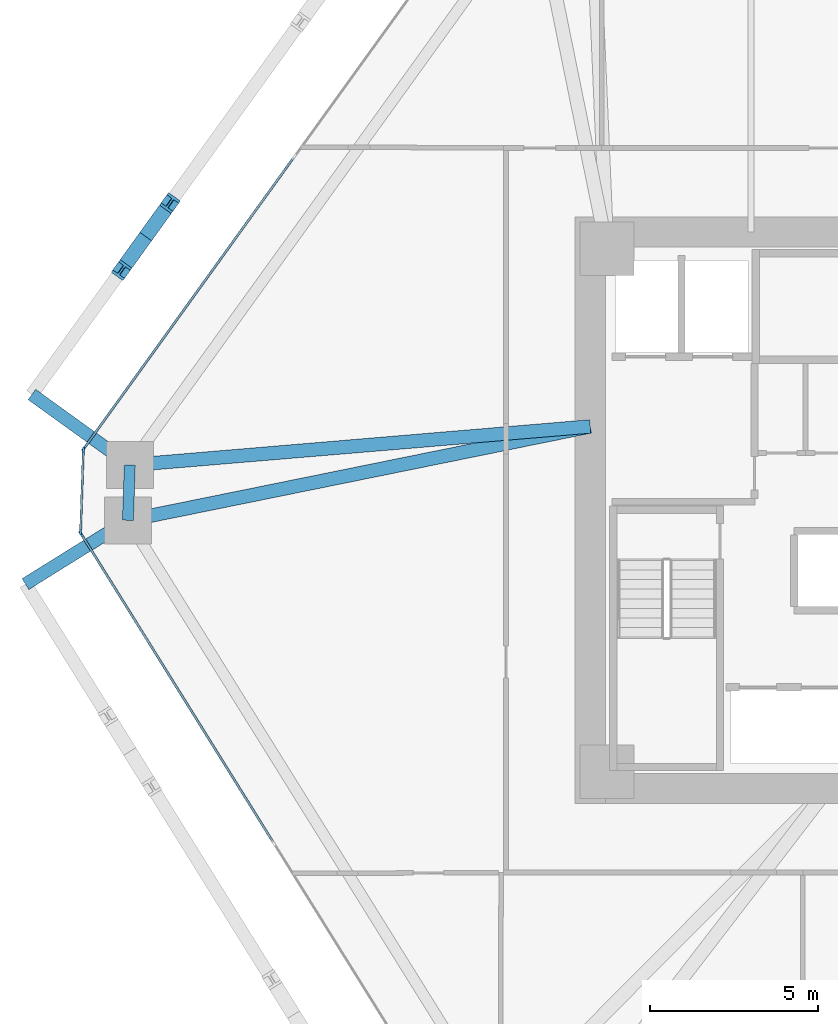
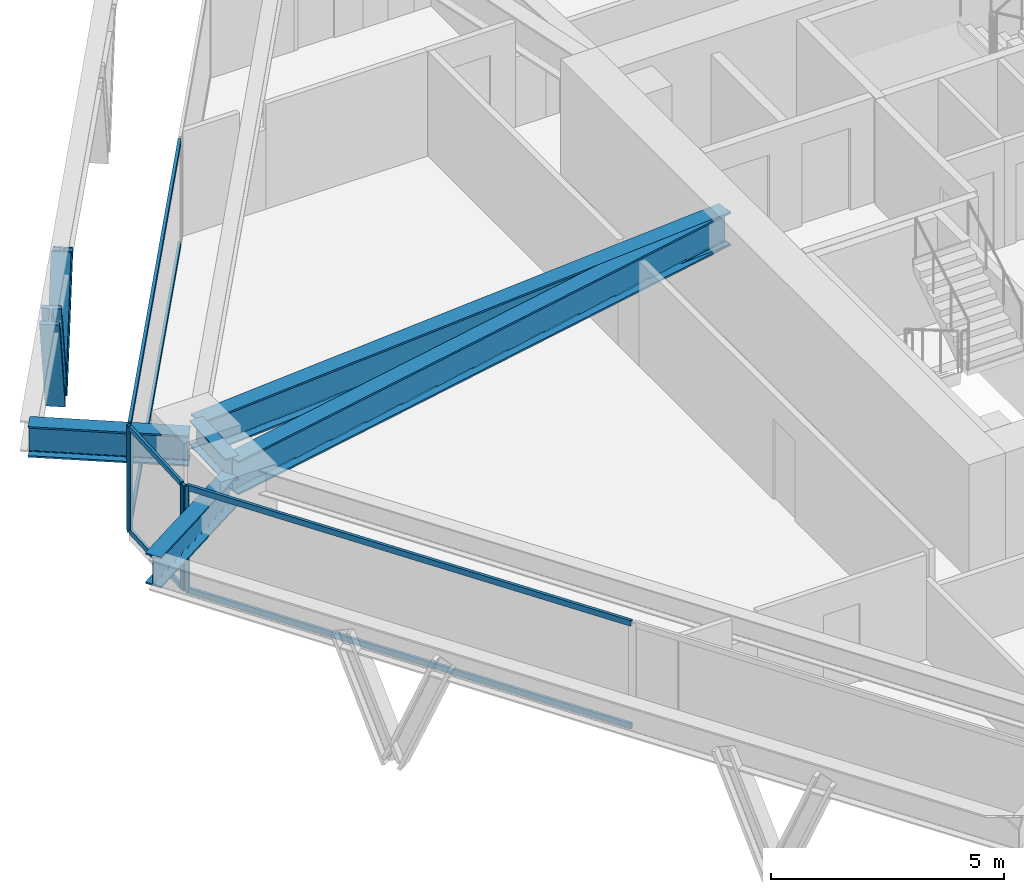
# One storey, part 4 of 15: 12 members, 5 beams, 3 elements without a shape of their own.
"""IFC4 building model written with IfcOpenShell, lengths in metres."""

from ifc_helpers import new_model, si_unit, direction, frame, origin, origin_2d, place, context, subcontext, project, spatial, rectangle, i_section, extrude, source, transform, mapped, material, layer, layer_set, material_profile, profile_set, type_object, type_shapes, element, aggregate, save


model = new_model("IFC4")

# Units and contexts
model_context = context("Model", 3, precision=1e-05, world=origin(), true_north=direction((0.0, 1.0)))
body_context = subcontext(model_context, "Body", "Model", "MODEL_VIEW")
ifc_project = project(units=[si_unit("LENGTHUNIT", "METRE"), si_unit("AREAUNIT", "SQUARE_METRE"), si_unit("VOLUMEUNIT", "CUBIC_METRE"), si_unit("PLANEANGLEUNIT", "RADIAN"), si_unit("MASSUNIT", "GRAM", prefix="KILO")], contexts=[model_context])

# Site, building, storey
site_placement = place(None, origin())
site = spatial("IfcSite", under=ifc_project, at=site_placement, CompositionType="ELEMENT")
building_placement = place(site_placement, origin())
building = spatial("IfcBuilding", under=site, at=building_placement, Name="Durnholm Broadcast Tower", CompositionType="ELEMENT")
storey_placement = place(building_placement, frame((0.0, 0.0, 81.300048828125)))
storey = spatial("IfcBuildingStorey", under=building, at=storey_placement, Name="L21", CompositionType="ELEMENT", Elevation=81.300048828125)

# Beams
ifc_material_1 = material(Name="Steel ASTM A992 Grade 50", Category="steel")
ifc_material_profile_1 = material_profile(ifc_material_1, i_section(OverallWidth=0.3291015625, OverallDepth=0.635009765625, WebThickness=0.017822265625, FlangeThickness=0.031005859375, FilletRadius=0.02783203125, at=origin_2d()), Name="W24X162")
ifc_profile_set_1 = profile_set([ifc_material_profile_1], Name="Steel ASTM A992 Grade 50")
beam_type_1 = type_object("IfcBeamType", Name="STL-SP-W24X162", PredefinedType="SPANDREL", material=ifc_profile_set_1)
shared_shape_1 = source(origin(), body_context, "Body", "SweptSolid", [
    extrude(i_section(OverallWidth=0.3291015625, OverallDepth=0.635009765625, WebThickness=0.017822265625, FlangeThickness=0.031005859375, FilletRadius=0.02783203125, at=origin_2d()), origin(), (0.0, 0.0, 1.0), 1.648193359375),
])
type_shapes(beam_type_1, [shared_shape_1])
beam_1_placement = place(storey_placement, frame((-24.0908203125, -0.2998046875, 2.427490234375), z_axis=(0.033921477804, 0.999424501072, 0.0), x_axis=(-0.999424501072, 0.033921477804, 0.0)))
element("IfcBeam", 1, at=beam_1_placement, inside=storey, type_object=beam_type_1, Name="L21 perimeter spandrel girder 02", PredefinedType="SPANDREL", context=body_context, shape_type="MappedRepresentation", body=[
    mapped(shared_shape_1, transform((0.0, 0.0, 0.0), x_axis=(1.0, 0.0, 0.0), y_axis=(0.0, 1.0, 0.0), z_axis=(0.0, 0.0, 1.0), scale=1.0)),
])
ifc_material_profile_2 = material_profile(ifc_material_1, i_section(OverallWidth=0.404052734375, OverallDepth=0.885009765625, WebThickness=0.0244140625, FlangeThickness=0.0439453125, FilletRadius=0.03564453125, at=origin_2d()), Name="W33X291")
ifc_profile_set_2 = profile_set([ifc_material_profile_2], Name="Steel ASTM A992 Grade 50")
beam_type_2 = type_object("IfcBeamType", Name="STL-GR-W33X291", PredefinedType="USERDEFINED", material=ifc_profile_set_2)
shared_shape_2 = source(origin(), body_context, "Body", "SweptSolid", [
    extrude(i_section(OverallWidth=0.404052734375, OverallDepth=0.885009765625, WebThickness=0.0244140625, FlangeThickness=0.0439453125, FilletRadius=0.03564453125, at=origin_2d()), origin(), (0.0, 0.0, 1.0), 14.072021484375),
])
beam_2_placement = place(storey_placement, frame((-10.300048828125, 2.5, 2.302490234375), z_axis=(-0.980007356767, -0.198961254225, 0.0), x_axis=(0.198961254225, -0.980007356767, 0.0)))
element("IfcBeam", 2, at=beam_2_placement, inside=storey, type_object=beam_type_2, Name="L21 radial primary floor girder 02", ObjectType="GIRDER", PredefinedType="USERDEFINED", context=body_context, shape_type="MappedRepresentation", body=[
    mapped(shared_shape_2, transform((0.0, 0.0, 0.0), x_axis=(1.0, 0.0, 0.0), y_axis=(0.0, 1.0, 0.0), z_axis=(0.0, 0.0, 1.0), scale=1.0)),
])
shared_shape_3 = source(origin(), body_context, "Body", "SweptSolid", [
    extrude(i_section(OverallWidth=0.404052734375, OverallDepth=0.885009765625, WebThickness=0.0244140625, FlangeThickness=0.0439453125, FilletRadius=0.03564453125, at=origin_2d()), origin(), (0.0, 0.0, 1.0), 13.783203125),
])
type_shapes(beam_type_2, [shared_shape_2, shared_shape_3])
beam_3_placement = place(storey_placement, frame((-10.300048828125, 2.5, 2.302490234375), z_axis=(-0.996497460403, -0.083623031579, 0.0), x_axis=(0.083623031579, -0.996497460403, 0.0)))
element("IfcBeam", 3, at=beam_3_placement, inside=storey, type_object=beam_type_2, Name="L21 radial primary floor girder 03", ObjectType="GIRDER", PredefinedType="USERDEFINED", context=body_context, shape_type="MappedRepresentation", body=[
    mapped(shared_shape_3, transform((0.0, 0.0, 0.0), x_axis=(1.0, 0.0, 0.0), y_axis=(0.0, 1.0, 0.0), z_axis=(0.0, 0.0, 1.0), scale=1.0)),
])
ifc_material_profile_3 = material_profile(ifc_material_1, i_section(OverallWidth=0.385009765625, OverallDepth=0.802978515625, WebThickness=0.023681640625, FlangeThickness=0.0419921875, FilletRadius=0.032958984375, at=origin_2d()), Name="W30X261")
ifc_profile_set_3 = profile_set([ifc_material_profile_3], Name="Steel ASTM A992 Grade 50")
beam_type_3 = type_object("IfcBeamType", Name="BM-EXO-TIE", PredefinedType="USERDEFINED", material=ifc_profile_set_3)
shared_shape_4 = source(origin(), body_context, "Body", "SweptSolid", [
    extrude(i_section(OverallWidth=0.385009765625, OverallDepth=0.802978515625, WebThickness=0.023681640625, FlangeThickness=0.0419921875, FilletRadius=0.032958984375, at=origin_2d()), origin(), (0.0, 0.0, 1.0), 3.4560546875),
])
beam_4_placement = place(storey_placement, frame((-24.212890625, -0.375732421875, 2.008544921875), z_axis=(-0.848874183218, -0.528594949906, 0.0), x_axis=(0.528594949906, -0.848874183218, 0.0)))
element("IfcBeam", 4, at=beam_4_placement, inside=storey, type_object=beam_type_3, Name="L21 exoskeleton stand-off tie bracket F6.1", ObjectType="GIRDER", PredefinedType="USERDEFINED", context=body_context, shape_type="MappedRepresentation", body=[
    mapped(shared_shape_4, transform((0.0, 0.0, 0.0), x_axis=(1.0, 0.0, 0.0), y_axis=(0.0, 1.0, 0.0), z_axis=(0.0, 0.0, 1.0), scale=1.0)),
])
shared_shape_5 = source(origin(), body_context, "Body", "SweptSolid", [
    extrude(i_section(OverallWidth=0.385009765625, OverallDepth=0.802978515625, WebThickness=0.023681640625, FlangeThickness=0.0419921875, FilletRadius=0.032958984375, at=origin_2d()), origin(), (0.0, 0.0, 1.0), 3.455810546875),
])
type_shapes(beam_type_3, [shared_shape_4, shared_shape_5])
beam_5_placement = place(storey_placement, frame((-24.15185546875, 1.431396484375, 2.008544921875), z_axis=(-0.811133512552, 0.584861030344, 0.0), x_axis=(-0.584861030344, -0.811133512552, 0.0)))
element("IfcBeam", 5, at=beam_5_placement, inside=storey, type_object=beam_type_3, Name="L21 exoskeleton stand-off tie bracket F5.2", ObjectType="GIRDER", PredefinedType="USERDEFINED", context=body_context, shape_type="MappedRepresentation", body=[
    mapped(shared_shape_5, transform((0.0, 0.0, 0.0), x_axis=(1.0, 0.0, 0.0), y_axis=(0.0, 1.0, 0.0), z_axis=(0.0, 0.0, 1.0), scale=1.0)),
])

# Members
ifc_material_2 = material(Name="Steel ASTM A913 Grade 65", Category="steel")
ifc_material_profile_4 = material_profile(ifc_material_2, i_section(OverallWidth=0.43212890625, OverallDepth=0.497802734375, WebThickness=0.0556640625, FlangeThickness=0.0888671875, FilletRadius=0.030517578125, at=origin_2d()), Name="W14X500")
ifc_profile_set_4 = profile_set([ifc_material_profile_4], Name="Steel ASTM A913 Grade 65")
member_type_1 = type_object("IfcMemberType", Name="STL-DG-W14X500", PredefinedType="BRACE", material=ifc_profile_set_4)
shared_shape_6 = source(origin(), body_context, "Body", "SweptSolid", [
    extrude(i_section(OverallWidth=0.43212890625, OverallDepth=0.497802734375, WebThickness=0.0556640625, FlangeThickness=0.0888671875, FilletRadius=0.030517578125, at=origin_2d()), origin(), (0.0, 0.0, 1.0), 3.243896484375),
])
member_1_placement = place(storey_placement, frame((-23.5595703125, 8.16259765625, -0.991455078125), z_axis=(0.222479198439, 0.308505492017, 0.924839103659), x_axis=(-0.81109123444, 0.58491966065, 0.0)))
element("IfcMember", 6, at=member_1_placement, inside=storey, type_object=member_type_1, Name="L21 stand-off diagrid brace F5.D2.1", PredefinedType="BRACE", context=body_context, shape_type="MappedRepresentation", body=[
    mapped(shared_shape_6, transform((0.0, 0.0, 0.0), x_axis=(1.0, 0.0, 0.0), y_axis=(0.0, 1.0, 0.0), z_axis=(0.0, 0.0, 1.0), scale=1.0)),
])
shared_shape_7 = source(origin(), body_context, "Body", "SweptSolid", [
    extrude(i_section(OverallWidth=0.43212890625, OverallDepth=0.497802734375, WebThickness=0.0556640625, FlangeThickness=0.0888671875, FilletRadius=0.030517578125, at=origin_2d()), origin(), (0.0, 0.0, 1.0), 3.24365234375),
])
type_shapes(member_type_1, [shared_shape_6, shared_shape_7])
member_2_placement = place(storey_placement, frame((-23.5595703125, 8.16259765625, -0.991455078125), z_axis=(-0.222407658365, -0.308510657069, 0.924854587476), x_axis=(0.811185111535, -0.584789461963, 0.0)))
element("IfcMember", 7, at=member_2_placement, inside=storey, type_object=member_type_1, Name="L21 stand-off diagrid brace F5.D2.2", PredefinedType="BRACE", context=body_context, shape_type="MappedRepresentation", body=[
    mapped(shared_shape_7, transform((0.0, 0.0, 0.0), x_axis=(1.0, 0.0, 0.0), y_axis=(0.0, 1.0, 0.0), z_axis=(0.0, 0.0, 1.0), scale=1.0)),
])

# Curtain wall, members
ifc_material_3 = material(Name="Aluminium and Solar Control IGU", Category="aluminium")
ifc_layer_1 = layer(ifc_material_3, 0.1650390625)
ifc_layer_set_1 = layer_set([ifc_layer_1], Name="Aluminium and Solar Control IGU")
curtain_wall_type_1 = type_object("IfcCurtainWallType", Name="CW-SYS-5", PredefinedType="NOTDEFINED", material=ifc_layer_set_1)
curtain_wall_1_placement = place(storey_placement, origin())
curtain_wall_1 = element("IfcCurtainWall", 8, at=curtain_wall_1_placement, inside=storey, type_object=curtain_wall_type_1, Name="L21 curtain wall CW-CORNER CW-L21-CRN-01", PredefinedType="NOTDEFINED")
ifc_material_4 = material(Name="Aluminium 6063-T6", Category="aluminium")
ifc_material_profile_5 = material_profile(ifc_material_4, rectangle(XDim=0.06494140625, YDim=0.1298828125, at=origin_2d()), Name="CWT65X130")
ifc_profile_set_5 = profile_set([ifc_material_profile_5], Name="Aluminium 6063-T6")
member_type_2 = type_object("IfcMemberType", Name="CW-SYS-5-TRN", PredefinedType="USERDEFINED", material=ifc_profile_set_5)
shared_shape_8 = source(origin(), body_context, "Body", "SweptSolid", [
    extrude(rectangle(XDim=0.06494140625, YDim=0.1298828125, at=origin_2d()), origin(), (0.0, 0.0, 1.0), 2.3701171875),
])
type_shapes(member_type_2, [shared_shape_8])
member_3_placement = place(storey_placement, frame((-25.502197265625, -0.613037109375, 0.032470703125), z_axis=(0.033788158898, 0.999429017148, 0.0), x_axis=(-0.999429017148, 0.033788158898, 0.0)))
member_3 = element("IfcMember", 9, at=member_3_placement, type_object=member_type_2, Name="CW-CORNER transom 1.1", ObjectType="TRANSOM", PredefinedType="USERDEFINED", context=body_context, shape_type="MappedRepresentation", body=[
    mapped(shared_shape_8, transform((0.0, 0.0, 0.0), x_axis=(1.0, 0.0, 0.0), y_axis=(0.0, 1.0, 0.0), z_axis=(0.0, 0.0, 1.0), scale=1.0)),
])
member_4_placement = place(storey_placement, frame((-25.502197265625, -0.613037109375, 2.7275390625), z_axis=(0.033788158898, 0.999429017148, 0.0), x_axis=(-0.999429017148, 0.033788158898, 0.0)))
member_4 = element("IfcMember", 10, at=member_4_placement, type_object=member_type_2, Name="CW-CORNER transom 1.2", ObjectType="TRANSOM", PredefinedType="USERDEFINED", context=body_context, shape_type="MappedRepresentation", body=[
    mapped(shared_shape_8, transform((0.0, 0.0, 0.0), x_axis=(1.0, 0.0, 0.0), y_axis=(0.0, 1.0, 0.0), z_axis=(0.0, 0.0, 1.0), scale=1.0)),
])

ifc_layer_2 = layer(ifc_material_3, 0.18994140625)
ifc_layer_set_2 = layer_set([ifc_layer_2], Name="Aluminium and Solar Control IGU")
curtain_wall_type_2 = type_object("IfcCurtainWallType", Name="CW-SYS-3", PredefinedType="NOTDEFINED", material=ifc_layer_set_2)
curtain_wall_2_placement = place(storey_placement, origin())
curtain_wall_2 = element("IfcCurtainWall", 11, at=curtain_wall_2_placement, inside=storey, type_object=curtain_wall_type_2, Name="L21 curtain wall CW-Z12-VIS CW-L21-F02", PredefinedType="NOTDEFINED")
ifc_material_profile_6 = material_profile(ifc_material_4, rectangle(XDim=0.070068359375, YDim=0.14990234375, at=origin_2d()), Name="CWT70X150")
ifc_profile_set_6 = profile_set([ifc_material_profile_6], Name="Aluminium 6063-T6")
member_type_3 = type_object("IfcMemberType", Name="CW-SYS-3-TRN", PredefinedType="USERDEFINED", material=ifc_profile_set_6)
shared_shape_9 = source(origin(), body_context, "Body", "SweptSolid", [
    extrude(rectangle(XDim=0.070068359375, YDim=0.14990234375, at=origin_2d()), origin(), (0.0, 0.0, 1.0), 10.6455078125),
])
member_5_placement = place(storey_placement, frame((-25.37890625, 1.877197265625, 0.034912109375), z_axis=(0.584812103659, 0.811168788486, 0.0), x_axis=(-0.811168788486, 0.584812103659, 0.0)))
member_5 = element("IfcMember", 12, at=member_5_placement, type_object=member_type_3, Name="CW-Z12-VIS transom 1.1", ObjectType="TRANSOM", PredefinedType="USERDEFINED", context=body_context, shape_type="MappedRepresentation", body=[
    mapped(shared_shape_9, transform((0.0, 0.0, 0.0), x_axis=(1.0, 0.0, 0.0), y_axis=(0.0, 1.0, 0.0), z_axis=(0.0, 0.0, 1.0), scale=1.0)),
])
member_6_placement = place(storey_placement, frame((-25.37890625, 1.877197265625, 2.724853515625), z_axis=(0.584812103659, 0.811168788486, 0.0), x_axis=(-0.811168788486, 0.584812103659, 0.0)))
member_6 = element("IfcMember", 13, at=member_6_placement, type_object=member_type_3, Name="CW-Z12-VIS transom 1.2", ObjectType="TRANSOM", PredefinedType="USERDEFINED", context=body_context, shape_type="MappedRepresentation", body=[
    mapped(shared_shape_9, transform((0.0, 0.0, 0.0), x_axis=(1.0, 0.0, 0.0), y_axis=(0.0, 1.0, 0.0), z_axis=(0.0, 0.0, 1.0), scale=1.0)),
])

curtain_wall_3_placement = place(storey_placement, origin())
curtain_wall_3 = element("IfcCurtainWall", 14, at=curtain_wall_3_placement, inside=storey, type_object=curtain_wall_type_2, Name="L21 curtain wall CW-Z12-VIS CW-L21-F12", PredefinedType="NOTDEFINED")
shared_shape_10 = source(origin(), body_context, "Body", "SweptSolid", [
    extrude(rectangle(XDim=0.070068359375, YDim=0.14990234375, at=origin_2d()), origin(), (0.0, 0.0, 1.0), 10.796630859375),
])
type_shapes(member_type_3, [shared_shape_9, shared_shape_10])
member_7_placement = place(storey_placement, frame((-19.760498046875, -9.902587890625, 0.034912109375), z_axis=(-0.528575362968, 0.848886379714, 0.0), x_axis=(-0.848886379714, -0.528575362968, 0.0)))
member_7 = element("IfcMember", 15, at=member_7_placement, type_object=member_type_3, Name="CW-Z12-VIS transom 2.1", ObjectType="TRANSOM", PredefinedType="USERDEFINED", context=body_context, shape_type="MappedRepresentation", body=[
    mapped(shared_shape_10, transform((0.0, 0.0, 0.0), x_axis=(1.0, 0.0, 0.0), y_axis=(0.0, 1.0, 0.0), z_axis=(0.0, 0.0, 1.0), scale=1.0)),
])
member_8_placement = place(storey_placement, frame((-19.760498046875, -9.902587890625, 2.724853515625), z_axis=(-0.528575362968, 0.848886379714, 0.0), x_axis=(-0.848886379714, -0.528575362968, 0.0)))
member_8 = element("IfcMember", 16, at=member_8_placement, type_object=member_type_3, Name="CW-Z12-VIS transom 2.2", ObjectType="TRANSOM", PredefinedType="USERDEFINED", context=body_context, shape_type="MappedRepresentation", body=[
    mapped(shared_shape_10, transform((0.0, 0.0, 0.0), x_axis=(1.0, 0.0, 0.0), y_axis=(0.0, 1.0, 0.0), z_axis=(0.0, 0.0, 1.0), scale=1.0)),
])

# Member
ifc_material_profile_7 = material_profile(ifc_material_4, rectangle(XDim=0.06494140625, YDim=0.1650390625, at=origin_2d()), Name="CWM65X165")
ifc_profile_set_7 = profile_set([ifc_material_profile_7], Name="Aluminium 6063-T6")
member_type_4 = type_object("IfcMemberType", Name="CW-SYS-5-MUL", PredefinedType="MULLION", material=ifc_profile_set_7)
shared_shape_11 = source(origin(), body_context, "Body", "SweptSolid", [
    extrude(rectangle(XDim=0.06494140625, YDim=0.1650390625, at=origin_2d()), origin(), (0.0, 0.0, 1.0), 2.760009765625),
])
type_shapes(member_type_4, [shared_shape_11])
member_9_placement = place(storey_placement, frame((-25.50341796875, -0.6455078125, 0.0), z_axis=(0.0, 0.0, 1.0), x_axis=(-0.999427277772, 0.033839569233, 0.0)))
member_9 = element("IfcMember", 17, at=member_9_placement, type_object=member_type_4, Name="CW-CORNER mullion 1", PredefinedType="MULLION", context=body_context, shape_type="MappedRepresentation", body=[
    mapped(shared_shape_11, transform((0.0, 0.0, 0.0), x_axis=(1.0, 0.0, 0.0), y_axis=(0.0, 1.0, 0.0), z_axis=(0.0, 0.0, 1.0), scale=1.0)),
])

member_10_placement = place(storey_placement, frame((-25.4208984375, 1.7880859375, 0.0), z_axis=(0.0, 0.0, 1.0), x_axis=(-0.999427277772, 0.033839569233, 0.0)))
member_10 = element("IfcMember", 18, at=member_10_placement, type_object=member_type_4, Name="CW-CORNER mullion 2", PredefinedType="MULLION", context=body_context, shape_type="MappedRepresentation", body=[
    mapped(shared_shape_11, transform((0.0, 0.0, 0.0), x_axis=(1.0, 0.0, 0.0), y_axis=(0.0, 1.0, 0.0), z_axis=(0.0, 0.0, 1.0), scale=1.0)),
])

aggregate(curtain_wall_1, [member_9, member_10, member_3, member_4])

ifc_material_profile_8 = material_profile(ifc_material_4, rectangle(XDim=0.070068359375, YDim=0.18994140625, at=origin_2d()), Name="CWM70X190")
ifc_profile_set_8 = profile_set([ifc_material_profile_8], Name="Aluminium 6063-T6")
member_type_5 = type_object("IfcMemberType", Name="CW-SYS-3-MUL", PredefinedType="MULLION", material=ifc_profile_set_8)
shared_shape_12 = source(origin(), body_context, "Body", "SweptSolid", [
    extrude(rectangle(XDim=0.070068359375, YDim=0.18994140625, at=origin_2d()), origin(), (0.0, 0.0, 1.0), 2.760009765625),
])
type_shapes(member_type_5, [shared_shape_12])
member_11_placement = place(storey_placement, frame((-25.3994140625, 1.848876953125, 0.0), z_axis=(0.0, 0.0, 1.0), x_axis=(-0.81116057493, 0.584823496176, 0.0)))
member_11 = element("IfcMember", 19, at=member_11_placement, type_object=member_type_5, Name="CW-Z12-VIS mullion 1", PredefinedType="MULLION", context=body_context, shape_type="MappedRepresentation", body=[
    mapped(shared_shape_12, transform((0.0, 0.0, 0.0), x_axis=(1.0, 0.0, 0.0), y_axis=(0.0, 1.0, 0.0), z_axis=(0.0, 0.0, 1.0), scale=1.0)),
])

aggregate(curtain_wall_2, [member_11, member_5, member_6])

member_12_placement = place(storey_placement, frame((-25.48583984375, -0.707763671875, 0.0), z_axis=(0.0, 0.0, 1.0), x_axis=(-0.848875785503, -0.528592376777, 0.0)))
member_12 = element("IfcMember", 20, at=member_12_placement, type_object=member_type_5, Name="CW-Z12-VIS mullion 3", PredefinedType="MULLION", context=body_context, shape_type="MappedRepresentation", body=[
    mapped(shared_shape_12, transform((0.0, 0.0, 0.0), x_axis=(1.0, 0.0, 0.0), y_axis=(0.0, 1.0, 0.0), z_axis=(0.0, 0.0, 1.0), scale=1.0)),
])

aggregate(curtain_wall_3, [member_12, member_7, member_8])

save(model, "model.ifc")
